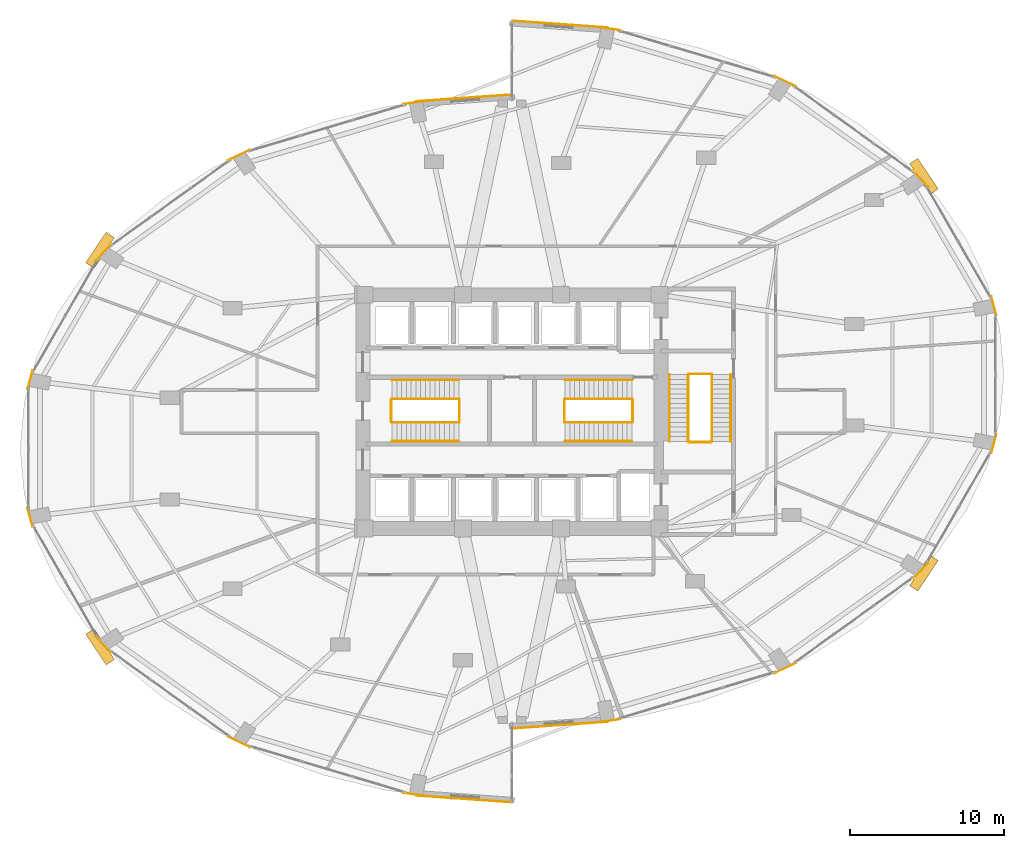
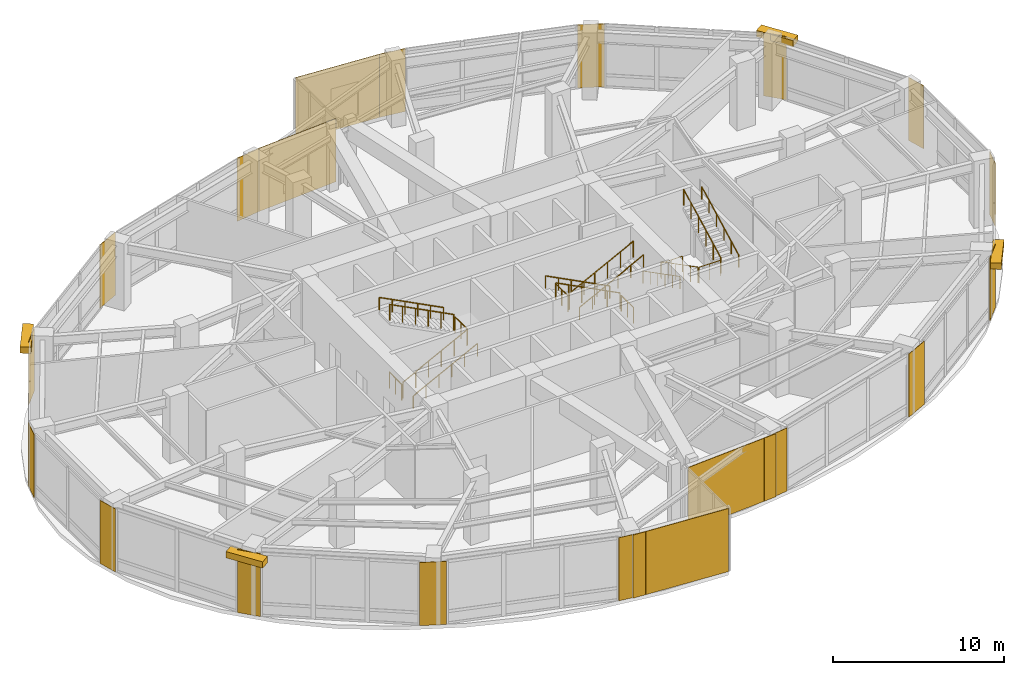
# One storey, part 24 of 24: 20 coverings, 18 railings, 4 shading devices.
"""IFC4 building model written with IfcOpenShell, lengths in metres."""

from ifc_helpers import new_model, si_unit, direction, frame, origin, origin_2d, place, context, subcontext, project, spatial, rectangle, circle, extrude, material, layer, layer_set, type_object, element, save


model = new_model("IFC4")

# Units and contexts
model_context = context("Model", 3, precision=1e-05, world=origin(), true_north=direction((0.0, 1.0)))
body_context = subcontext(model_context, "Body", "Model", "MODEL_VIEW")
ifc_project = project(units=[si_unit("LENGTHUNIT", "METRE"), si_unit("AREAUNIT", "SQUARE_METRE"), si_unit("VOLUMEUNIT", "CUBIC_METRE"), si_unit("PLANEANGLEUNIT", "RADIAN"), si_unit("MASSUNIT", "GRAM", prefix="KILO")], contexts=[model_context])

# Site, building, storey
site_placement = place(None, origin())
site = spatial("IfcSite", under=ifc_project, at=site_placement, CompositionType="ELEMENT")
building_placement = place(site_placement, origin())
building = spatial("IfcBuilding", under=site, at=building_placement, Name="Lazwardi Medical Tower", CompositionType="ELEMENT")
storey_placement = place(building_placement, frame((0.0, 0.0, 15.60009765625)))
storey = spatial("IfcBuildingStorey", under=building, at=storey_placement, Name="L03", CompositionType="ELEMENT", Elevation=15.60009765625)

# Coverings
ifc_material_1 = material(Name="Anodised bronze aluminium cassette cladding", Category="aluminium")
ifc_layer_1 = layer(ifc_material_1, 0.030029296875)
ifc_layer_set_1 = layer_set([ifc_layer_1], Name="Anodised bronze aluminium cassette cladding")
covering_type_1 = type_object("IfcCoveringType", Name="COV-CLD-BRZ", PredefinedType="CLADDING", material=ifc_layer_set_1)
covering_1_placement = place(storey_placement, frame((42.234375, 7.881591796875, 0.0), z_axis=(0.0, 0.0, 1.0), x_axis=(0.989942587141, 0.141469693453, 0.0)))
element("IfcCovering", 1, at=covering_1_placement, inside=storey, type_object=covering_type_1, Name="L03 Mega-column bronze cassette cover M01", PredefinedType="CLADDING", context=body_context, shape_type="SweptSolid", body=[
    extrude(rectangle(XDim=1.71337890625, YDim=0.030029296875, at=origin_2d()), origin(), (0.0, 0.0, 1.0), 4.52001953125),
])
covering_2_placement = place(storey_placement, frame((53.75390625, 11.309814453125, 0.0), z_axis=(0.0, 0.0, 1.0), x_axis=(0.901483824326, 0.432812793801, 0.0)))
element("IfcCovering", 2, at=covering_2_placement, inside=storey, type_object=covering_type_1, Name="L03 Mega-column bronze cassette cover M02", PredefinedType="CLADDING", context=body_context, shape_type="SweptSolid", body=[
    extrude(rectangle(XDim=1.59521484375, YDim=0.030029296875, at=origin_2d()), origin(), (0.0, 0.0, 1.0), 4.52001953125),
])
covering_3_placement = place(storey_placement, frame((62.57080078125, 17.644287109375, 0.0), z_axis=(0.0, 0.0, 1.0), x_axis=(0.681018709816, 0.732266015107, 0.0)))
element("IfcCovering", 3, at=covering_3_placement, inside=storey, type_object=covering_type_1, Name="L03 Mega-column bronze cassette cover M03", PredefinedType="CLADDING", context=body_context, shape_type="SweptSolid", body=[
    extrude(rectangle(XDim=1.410888671875, YDim=0.030029296875, at=origin_2d()), origin(), (0.0, 0.0, 1.0), 4.52001953125),
])
for number, where, z_axis, x_axis, name in (
    (4, (67.34228515625, 25.9208984375, 0.0), (0.0, 0.0, 1.0), (0.266836390112, 0.9637418435, 0.0), "L03 Mega-column bronze cassette cover M04"),
    (5, (67.34228515625, 34.879150390625, 0.0), (0.0, 0.0, 1.0), (-0.266836390112, 0.9637418435, 0.0), "L03 Mega-column bronze cassette cover M05"),
):
    element("IfcCovering", number, at=place(storey_placement, frame(where, z_axis=z_axis, x_axis=x_axis)), inside=storey, type_object=covering_type_1, Name=name, PredefinedType="CLADDING", context=body_context, shape_type="SweptSolid", body=[
        extrude(rectangle(XDim=1.264404296875, YDim=0.030029296875, at=origin_2d()), origin(), (0.0, 0.0, 1.0), 4.52001953125),
    ])
covering_4_placement = place(storey_placement, frame((62.57080078125, 43.155517578125, 0.0), z_axis=(0.0, 0.0, 1.0), x_axis=(-0.681018709816, 0.732266015107, 0.0)))
element("IfcCovering", 6, at=covering_4_placement, inside=storey, type_object=covering_type_1, Name="L03 Mega-column bronze cassette cover M06", PredefinedType="CLADDING", context=body_context, shape_type="SweptSolid", body=[
    extrude(rectangle(XDim=1.410888671875, YDim=0.030029296875, at=origin_2d()), origin(), (0.0, 0.0, 1.0), 4.52001953125),
])
covering_5_placement = place(storey_placement, frame((53.75390625, 49.490234375, 0.0), z_axis=(0.0, 0.0, 1.0), x_axis=(-0.901483824326, 0.432812793801, 0.0)))
element("IfcCovering", 7, at=covering_5_placement, inside=storey, type_object=covering_type_1, Name="L03 Mega-column bronze cassette cover M07", PredefinedType="CLADDING", context=body_context, shape_type="SweptSolid", body=[
    extrude(rectangle(XDim=1.59521484375, YDim=0.030029296875, at=origin_2d()), origin(), (0.0, 0.0, 1.0), 4.52001953125),
])
for number, where, z_axis, x_axis, name in (
    (8, (42.234375, 52.91845703125, 0.0), (0.0, 0.0, 1.0), (-0.989942587141, 0.141469693453, 0.0), "L03 Mega-column bronze cassette cover M08"),
    (9, (29.765625, 48.118408203125, 0.0), (0.0, 0.0, 1.0), (-0.989942587141, -0.141469693453, 0.0), "L03 Mega-column bronze cassette cover M09"),
):
    element("IfcCovering", number, at=place(storey_placement, frame(where, z_axis=z_axis, x_axis=x_axis)), inside=storey, type_object=covering_type_1, Name=name, PredefinedType="CLADDING", context=body_context, shape_type="SweptSolid", body=[
        extrude(rectangle(XDim=1.71337890625, YDim=0.030029296875, at=origin_2d()), origin(), (0.0, 0.0, 1.0), 4.52001953125),
    ])
covering_6_placement = place(storey_placement, frame((18.24609375, 44.690185546875, 0.0), z_axis=(0.0, 0.0, 1.0), x_axis=(-0.901483824326, -0.432812793801, 0.0)))
element("IfcCovering", 10, at=covering_6_placement, inside=storey, type_object=covering_type_1, Name="L03 Mega-column bronze cassette cover M10", PredefinedType="CLADDING", context=body_context, shape_type="SweptSolid", body=[
    extrude(rectangle(XDim=1.59521484375, YDim=0.030029296875, at=origin_2d()), origin(), (0.0, 0.0, 1.0), 4.52001953125),
])
covering_7_placement = place(storey_placement, frame((9.42919921875, 38.355712890625, 0.0), z_axis=(0.0, 0.0, 1.0), x_axis=(-0.681018709816, -0.732266015107, 0.0)))
element("IfcCovering", 11, at=covering_7_placement, inside=storey, type_object=covering_type_1, Name="L03 Mega-column bronze cassette cover M11", PredefinedType="CLADDING", context=body_context, shape_type="SweptSolid", body=[
    extrude(rectangle(XDim=1.410888671875, YDim=0.030029296875, at=origin_2d()), origin(), (0.0, 0.0, 1.0), 4.52001953125),
])
for number, where, z_axis, x_axis, name in (
    (12, (4.65771484375, 30.0791015625, 0.0), (0.0, 0.0, 1.0), (-0.266836390112, -0.9637418435, 0.0), "L03 Mega-column bronze cassette cover M12"),
    (13, (4.65771484375, 21.120849609375, 0.0), (0.0, 0.0, 1.0), (0.266836390112, -0.9637418435, 0.0), "L03 Mega-column bronze cassette cover M13"),
):
    element("IfcCovering", number, at=place(storey_placement, frame(where, z_axis=z_axis, x_axis=x_axis)), inside=storey, type_object=covering_type_1, Name=name, PredefinedType="CLADDING", context=body_context, shape_type="SweptSolid", body=[
        extrude(rectangle(XDim=1.264404296875, YDim=0.030029296875, at=origin_2d()), origin(), (0.0, 0.0, 1.0), 4.52001953125),
    ])
covering_8_placement = place(storey_placement, frame((9.42919921875, 12.844482421875, 0.0), z_axis=(0.0, 0.0, 1.0), x_axis=(0.681018709816, -0.732266015107, 0.0)))
element("IfcCovering", 14, at=covering_8_placement, inside=storey, type_object=covering_type_1, Name="L03 Mega-column bronze cassette cover M14", PredefinedType="CLADDING", context=body_context, shape_type="SweptSolid", body=[
    extrude(rectangle(XDim=1.410888671875, YDim=0.030029296875, at=origin_2d()), origin(), (0.0, 0.0, 1.0), 4.52001953125),
])
covering_9_placement = place(storey_placement, frame((18.24609375, 6.509765625, 0.0), z_axis=(0.0, 0.0, 1.0), x_axis=(0.901483824326, -0.432812793801, 0.0)))
element("IfcCovering", 15, at=covering_9_placement, inside=storey, type_object=covering_type_1, Name="L03 Mega-column bronze cassette cover M15", PredefinedType="CLADDING", context=body_context, shape_type="SweptSolid", body=[
    extrude(rectangle(XDim=1.59521484375, YDim=0.030029296875, at=origin_2d()), origin(), (0.0, 0.0, 1.0), 4.52001953125),
])
covering_10_placement = place(storey_placement, frame((29.765625, 3.08154296875, 0.0), z_axis=(0.0, 0.0, 1.0), x_axis=(0.989942587141, -0.141469693453, 0.0)))
element("IfcCovering", 16, at=covering_10_placement, inside=storey, type_object=covering_type_1, Name="L03 Mega-column bronze cassette cover M16", PredefinedType="CLADDING", context=body_context, shape_type="SweptSolid", body=[
    extrude(rectangle(XDim=1.71337890625, YDim=0.030029296875, at=origin_2d()), origin(), (0.0, 0.0, 1.0), 4.52001953125),
])
ifc_material_2 = material(Name="Turquoise glazed ceramic tilework cladding", Category="masonry")
ifc_layer_2 = layer(ifc_material_2, 0.034912109375)
ifc_layer_set_2 = layer_set([ifc_layer_2], Name="Turquoise glazed ceramic tilework cladding")
covering_type_2 = type_object("IfcCoveringType", Name="COV-CLD-TRQ", PredefinedType="CLADDING", material=ifc_layer_set_2)
for number, where, z_axis, x_axis, name in (
    (17, (39.1181640625, 7.6044921875, 0.0), (0.0, 0.0, 1.0), (0.997513140153, 0.070480743625, 0.0), "L03 Turquoise glazed ceramic tilework cladding"),
    (18, (39.1181640625, 53.195556640625, 0.0), (0.0, 0.0, 1.0), (-0.997513140153, 0.070480743625, 0.0), "L03 Turquoise glazed ceramic tilework cladding"),
):
    element("IfcCovering", number, at=place(storey_placement, frame(where, z_axis=z_axis, x_axis=x_axis)), inside=storey, type_object=covering_type_2, Name=name, PredefinedType="CLADDING", context=body_context, shape_type="SweptSolid", body=[
        extrude(rectangle(XDim=6.227294921875, YDim=0.034912109375, at=origin_2d()), origin(), (0.0, 0.0, 1.0), 4.52001953125),
    ])
for number, where, z_axis, x_axis, name in (
    (19, (32.881591796875, 48.3955078125, 0.0), (0.0, 0.0, 1.0), (-0.99751264808, -0.070487707578, 0.0), "L03 Turquoise glazed ceramic tilework cladding"),
    (20, (32.881591796875, 2.804443359375, 0.0), (0.0, 0.0, 1.0), (0.99751264808, -0.070487707578, 0.0), "L03 Turquoise glazed ceramic tilework cladding"),
):
    element("IfcCovering", number, at=place(storey_placement, frame(where, z_axis=z_axis, x_axis=x_axis)), inside=storey, type_object=covering_type_2, Name=name, PredefinedType="CLADDING", context=body_context, shape_type="SweptSolid", body=[
        extrude(rectangle(XDim=6.2265625, YDim=0.034912109375, at=origin_2d()), origin(), (0.0, 0.0, 1.0), 4.52001953125),
    ])

# Railings
ifc_material_3 = material(Name="Stainless steel Grade 316", Category="steel")
railing_type_1 = type_object("IfcRailingType", Name="RLG-GRD-1150", PredefinedType="GUARDRAIL", material=ifc_material_3)
railing_1_placement = place(storey_placement, frame((28.199951171875, 27.2900390625, 0.159912109375)))
element("IfcRailing", 21, at=railing_1_placement, inside=storey, type_object=railing_type_1, Name="L03 ST1 stair guard 1", PredefinedType="GUARDRAIL", context=body_context, shape_type="SweptSolid", body=[
    extrude(circle(Radius=0.02392578125, at=origin_2d()), frame((0.0, 0.0, 1.1259765625), z_axis=(0.888625257326, 0.0, 0.458634006636), x_axis=(0.0, 1.0, 0.0)), (0.0, 0.0, 1.0), 4.884033203125),
    extrude(circle(Radius=0.02099609375, at=origin_2d()), origin(), (0.0, 0.0, 1.0), 1.099853515625),
    extrude(circle(Radius=0.02099609375, at=origin_2d()), frame((0.867919921875, 0.0, 0.447998046875)), (0.0, 0.0, 1.0), 1.099853515625),
    extrude(circle(Radius=0.02099609375, at=origin_2d()), frame((1.736083984375, 0.0, 0.89599609375)), (0.0, 0.0, 1.0), 1.099853515625),
    extrude(circle(Radius=0.02099609375, at=origin_2d()), frame((2.60400390625, 0.0, 1.343994140625)), (0.0, 0.0, 1.0), 1.099853515625),
    extrude(circle(Radius=0.02099609375, at=origin_2d()), frame((3.47216796875, 0.0, 1.7919921875)), (0.0, 0.0, 1.0), 1.099853515625),
    extrude(circle(Radius=0.02099609375, at=origin_2d()), frame((4.340087890625, 0.0, 2.239990234375)), (0.0, 0.0, 1.0), 1.099853515625),
])
railing_2_placement = place(storey_placement, frame((32.590087890625, 27.340087890625, 2.39990234375)))
element("IfcRailing", 22, at=railing_2_placement, inside=storey, type_object=railing_type_1, Name="L03 ST1 stair guard 2", PredefinedType="GUARDRAIL", context=body_context, shape_type="SweptSolid", body=[
    extrude(circle(Radius=0.02392578125, at=origin_2d()), frame((0.0, 0.0, 1.1259765625), z_axis=(0.0, 1.0, 0.0), x_axis=(-1.0, 0.0, 0.0)), (0.0, 0.0, 1.0), 1.43994140625),
    extrude(circle(Radius=0.02099609375, at=origin_2d()), origin(), (0.0, 0.0, 1.0), 1.099853515625),
    extrude(circle(Radius=0.02099609375, at=origin_2d()), frame((0.0, 0.719970703125, 0.0)), (0.0, 0.0, 1.0), 1.099853515625),
    extrude(circle(Radius=0.02099609375, at=origin_2d()), frame((0.0, 1.43994140625, 0.0)), (0.0, 0.0, 1.0), 1.099853515625),
])
railing_3_placement = place(storey_placement, frame((32.5400390625, 28.830078125, 2.559814453125)))
element("IfcRailing", 23, at=railing_3_placement, inside=storey, type_object=railing_type_1, Name="L03 ST1 stair guard 3", PredefinedType="GUARDRAIL", context=body_context, shape_type="SweptSolid", body=[
    extrude(circle(Radius=0.02392578125, at=origin_2d()), frame((0.0, 0.0, 1.1259765625), z_axis=(-0.888625257326, 0.0, 0.458634006636), x_axis=(0.0, -1.0, 0.0)), (0.0, 0.0, 1.0), 4.884033203125),
    extrude(circle(Radius=0.02099609375, at=origin_2d()), origin(), (0.0, 0.0, 1.0), 1.099853515625),
    extrude(circle(Radius=0.02099609375, at=origin_2d()), frame((-0.867919921875, 0.0, 0.447998046875)), (0.0, 0.0, 1.0), 1.099853515625),
    extrude(circle(Radius=0.02099609375, at=origin_2d()), frame((-1.736083984375, 0.0, 0.89599609375)), (0.0, 0.0, 1.0), 1.099853515625),
    extrude(circle(Radius=0.02099609375, at=origin_2d()), frame((-2.60400390625, 0.0, 1.343994140625)), (0.0, 0.0, 1.0), 1.099853515625),
    extrude(circle(Radius=0.02099609375, at=origin_2d()), frame((-3.47216796875, 0.0, 1.7919921875)), (0.0, 0.0, 1.0), 1.099853515625),
    extrude(circle(Radius=0.02099609375, at=origin_2d()), frame((-4.340087890625, 0.0, 2.239990234375)), (0.0, 0.0, 1.0), 1.099853515625),
])
railing_4_placement = place(storey_placement, frame((28.14990234375, 27.340087890625, 0.0)))
element("IfcRailing", 24, at=railing_4_placement, inside=storey, type_object=railing_type_1, Name="L03 ST1 stair guard 4", PredefinedType="GUARDRAIL", context=body_context, shape_type="SweptSolid", body=[
    extrude(circle(Radius=0.02392578125, at=origin_2d()), frame((0.0, 0.0, 1.1259765625), z_axis=(0.0, 1.0, 0.0), x_axis=(-1.0, 0.0, 0.0)), (0.0, 0.0, 1.0), 1.43994140625),
    extrude(circle(Radius=0.02099609375, at=origin_2d()), origin(), (0.0, 0.0, 1.0), 1.099853515625),
    extrude(circle(Radius=0.02099609375, at=origin_2d()), frame((0.0, 0.719970703125, 0.0)), (0.0, 0.0, 1.0), 1.099853515625),
    extrude(circle(Radius=0.02099609375, at=origin_2d()), frame((0.0, 1.43994140625, 0.0)), (0.0, 0.0, 1.0), 1.099853515625),
])
railing_5_placement = place(storey_placement, frame((43.800048828125, 28.830078125, 0.159912109375)))
element("IfcRailing", 25, at=railing_5_placement, inside=storey, type_object=railing_type_1, Name="L03 ST2 stair guard 1", PredefinedType="GUARDRAIL", context=body_context, shape_type="SweptSolid", body=[
    extrude(circle(Radius=0.02392578125, at=origin_2d()), frame((0.0, 0.0, 1.1259765625), z_axis=(-0.888625257326, 0.0, 0.458634006636), x_axis=(0.0, -1.0, 0.0)), (0.0, 0.0, 1.0), 4.884033203125),
    extrude(circle(Radius=0.02099609375, at=origin_2d()), origin(), (0.0, 0.0, 1.0), 1.099853515625),
    extrude(circle(Radius=0.02099609375, at=origin_2d()), frame((-0.867919921875, 0.0, 0.447998046875)), (0.0, 0.0, 1.0), 1.099853515625),
    extrude(circle(Radius=0.02099609375, at=origin_2d()), frame((-1.736083984375, 0.0, 0.89599609375)), (0.0, 0.0, 1.0), 1.099853515625),
    extrude(circle(Radius=0.02099609375, at=origin_2d()), frame((-2.60400390625, 0.0, 1.343994140625)), (0.0, 0.0, 1.0), 1.099853515625),
    extrude(circle(Radius=0.02099609375, at=origin_2d()), frame((-3.47216796875, 0.0, 1.7919921875)), (0.0, 0.0, 1.0), 1.099853515625),
    extrude(circle(Radius=0.02099609375, at=origin_2d()), frame((-4.340087890625, 0.0, 2.239990234375)), (0.0, 0.0, 1.0), 1.099853515625),
])
railing_6_placement = place(storey_placement, frame((39.409912109375, 28.780029296875, 2.39990234375)))
element("IfcRailing", 26, at=railing_6_placement, inside=storey, type_object=railing_type_1, Name="L03 ST2 stair guard 2", PredefinedType="GUARDRAIL", context=body_context, shape_type="SweptSolid", body=[
    extrude(circle(Radius=0.02392578125, at=origin_2d()), frame((0.0, 0.0, 1.1259765625), z_axis=(0.0, -1.0, 0.0), x_axis=(1.0, 0.0, 0.0)), (0.0, 0.0, 1.0), 1.43994140625),
    extrude(circle(Radius=0.02099609375, at=origin_2d()), origin(), (0.0, 0.0, 1.0), 1.099853515625),
    extrude(circle(Radius=0.02099609375, at=origin_2d()), frame((0.0, -0.719970703125, 0.0)), (0.0, 0.0, 1.0), 1.099853515625),
    extrude(circle(Radius=0.02099609375, at=origin_2d()), frame((0.0, -1.43994140625, 0.0)), (0.0, 0.0, 1.0), 1.099853515625),
])
railing_7_placement = place(storey_placement, frame((39.4599609375, 27.2900390625, 2.559814453125)))
element("IfcRailing", 27, at=railing_7_placement, inside=storey, type_object=railing_type_1, Name="L03 ST2 stair guard 3", PredefinedType="GUARDRAIL", context=body_context, shape_type="SweptSolid", body=[
    extrude(circle(Radius=0.02392578125, at=origin_2d()), frame((0.0, 0.0, 1.1259765625), z_axis=(0.888625257326, 0.0, 0.458634006636), x_axis=(0.0, 1.0, 0.0)), (0.0, 0.0, 1.0), 4.884033203125),
    extrude(circle(Radius=0.02099609375, at=origin_2d()), origin(), (0.0, 0.0, 1.0), 1.099853515625),
    extrude(circle(Radius=0.02099609375, at=origin_2d()), frame((0.867919921875, 0.0, 0.447998046875)), (0.0, 0.0, 1.0), 1.099853515625),
    extrude(circle(Radius=0.02099609375, at=origin_2d()), frame((1.736083984375, 0.0, 0.89599609375)), (0.0, 0.0, 1.0), 1.099853515625),
    extrude(circle(Radius=0.02099609375, at=origin_2d()), frame((2.60400390625, 0.0, 1.343994140625)), (0.0, 0.0, 1.0), 1.099853515625),
    extrude(circle(Radius=0.02099609375, at=origin_2d()), frame((3.47216796875, 0.0, 1.7919921875)), (0.0, 0.0, 1.0), 1.099853515625),
    extrude(circle(Radius=0.02099609375, at=origin_2d()), frame((4.340087890625, 0.0, 2.239990234375)), (0.0, 0.0, 1.0), 1.099853515625),
])
railing_8_placement = place(storey_placement, frame((43.85009765625, 28.780029296875, 0.0)))
element("IfcRailing", 28, at=railing_8_placement, inside=storey, type_object=railing_type_1, Name="L03 ST2 stair guard 4", PredefinedType="GUARDRAIL", context=body_context, shape_type="SweptSolid", body=[
    extrude(circle(Radius=0.02392578125, at=origin_2d()), frame((0.0, 0.0, 1.1259765625), z_axis=(0.0, -1.0, 0.0), x_axis=(1.0, 0.0, 0.0)), (0.0, 0.0, 1.0), 1.43994140625),
    extrude(circle(Radius=0.02099609375, at=origin_2d()), origin(), (0.0, 0.0, 1.0), 1.099853515625),
    extrude(circle(Radius=0.02099609375, at=origin_2d()), frame((0.0, -0.719970703125, 0.0)), (0.0, 0.0, 1.0), 1.099853515625),
    extrude(circle(Radius=0.02099609375, at=origin_2d()), frame((0.0, -1.43994140625, 0.0)), (0.0, 0.0, 1.0), 1.099853515625),
])
railing_9_placement = place(storey_placement, frame((47.469970703125, 30.39990234375, 0.159912109375)))
element("IfcRailing", 29, at=railing_9_placement, inside=storey, type_object=railing_type_1, Name="L03 ST3 stair guard 1", PredefinedType="GUARDRAIL", context=body_context, shape_type="SweptSolid", body=[
    extrude(circle(Radius=0.02392578125, at=origin_2d()), frame((0.0, 0.0, 1.1259765625), z_axis=(0.0, -0.888614742027, 0.458654379956), x_axis=(1.0, 0.0, 0.0)), (0.0, 0.0, 1.0), 4.8837890625),
    extrude(circle(Radius=0.02099609375, at=origin_2d()), origin(), (0.0, 0.0, 1.0), 1.099853515625),
    extrude(circle(Radius=0.02099609375, at=origin_2d()), frame((0.0, -0.867919921875, 0.447998046875)), (0.0, 0.0, 1.0), 1.099853515625),
    extrude(circle(Radius=0.02099609375, at=origin_2d()), frame((0.0, -1.73583984375, 0.89599609375)), (0.0, 0.0, 1.0), 1.099853515625),
    extrude(circle(Radius=0.02099609375, at=origin_2d()), frame((0.0, -2.60400390625, 1.343994140625)), (0.0, 0.0, 1.0), 1.099853515625),
    extrude(circle(Radius=0.02099609375, at=origin_2d()), frame((0.0, -3.471923828125, 1.7919921875)), (0.0, 0.0, 1.0), 1.099853515625),
    extrude(circle(Radius=0.02099609375, at=origin_2d()), frame((0.0, -4.33984375, 2.239990234375)), (0.0, 0.0, 1.0), 1.099853515625),
])
railing_10_placement = place(storey_placement, frame((47.52001953125, 26.010009765625, 2.39990234375)))
element("IfcRailing", 30, at=railing_10_placement, inside=storey, type_object=railing_type_1, Name="L03 ST3 stair guard 2", PredefinedType="GUARDRAIL", context=body_context, shape_type="SweptSolid", body=[
    extrude(circle(Radius=0.02392578125, at=origin_2d()), frame((0.0, 0.0, 1.1259765625), z_axis=(1.0, 0.0, 0.0), x_axis=(0.0, 1.0, 0.0)), (0.0, 0.0, 1.0), 1.43994140625),
    extrude(circle(Radius=0.02099609375, at=origin_2d()), origin(), (0.0, 0.0, 1.0), 1.099853515625),
    extrude(circle(Radius=0.02099609375, at=origin_2d()), frame((0.719970703125, 0.0, 0.0)), (0.0, 0.0, 1.0), 1.099853515625),
    extrude(circle(Radius=0.02099609375, at=origin_2d()), frame((1.43994140625, 0.0, 0.0)), (0.0, 0.0, 1.0), 1.099853515625),
])
railing_11_placement = place(storey_placement, frame((49.010009765625, 26.06005859375, 2.559814453125)))
element("IfcRailing", 31, at=railing_11_placement, inside=storey, type_object=railing_type_1, Name="L03 ST3 stair guard 3", PredefinedType="GUARDRAIL", context=body_context, shape_type="SweptSolid", body=[
    extrude(circle(Radius=0.02392578125, at=origin_2d()), frame((0.0, 0.0, 1.1259765625), z_axis=(0.0, 0.888614742027, 0.458654379956), x_axis=(-1.0, 0.0, 0.0)), (0.0, 0.0, 1.0), 4.8837890625),
    extrude(circle(Radius=0.02099609375, at=origin_2d()), origin(), (0.0, 0.0, 1.0), 1.099853515625),
    extrude(circle(Radius=0.02099609375, at=origin_2d()), frame((0.0, 0.867919921875, 0.447998046875)), (0.0, 0.0, 1.0), 1.099853515625),
    extrude(circle(Radius=0.02099609375, at=origin_2d()), frame((0.0, 1.73583984375, 0.89599609375)), (0.0, 0.0, 1.0), 1.099853515625),
    extrude(circle(Radius=0.02099609375, at=origin_2d()), frame((0.0, 2.60400390625, 1.343994140625)), (0.0, 0.0, 1.0), 1.099853515625),
    extrude(circle(Radius=0.02099609375, at=origin_2d()), frame((0.0, 3.471923828125, 1.7919921875)), (0.0, 0.0, 1.0), 1.099853515625),
    extrude(circle(Radius=0.02099609375, at=origin_2d()), frame((0.0, 4.33984375, 2.239990234375)), (0.0, 0.0, 1.0), 1.099853515625),
])
railing_12_placement = place(storey_placement, frame((47.52001953125, 30.449951171875, 0.0)))
element("IfcRailing", 32, at=railing_12_placement, inside=storey, type_object=railing_type_1, Name="L03 ST3 stair guard 4", PredefinedType="GUARDRAIL", context=body_context, shape_type="SweptSolid", body=[
    extrude(circle(Radius=0.02392578125, at=origin_2d()), frame((0.0, 0.0, 1.1259765625), z_axis=(1.0, 0.0, 0.0), x_axis=(0.0, 1.0, 0.0)), (0.0, 0.0, 1.0), 1.43994140625),
    extrude(circle(Radius=0.02099609375, at=origin_2d()), origin(), (0.0, 0.0, 1.0), 1.099853515625),
    extrude(circle(Radius=0.02099609375, at=origin_2d()), frame((0.719970703125, 0.0, 0.0)), (0.0, 0.0, 1.0), 1.099853515625),
    extrude(circle(Radius=0.02099609375, at=origin_2d()), frame((1.43994140625, 0.0, 0.0)), (0.0, 0.0, 1.0), 1.099853515625),
])
railing_type_2 = type_object("IfcRailingType", Name="RLG-HND-920", PredefinedType="HANDRAIL", material=ifc_material_3)
railing_13_placement = place(storey_placement, frame((28.199951171875, 26.070068359375, 0.159912109375)))
element("IfcRailing", 33, at=railing_13_placement, inside=storey, type_object=railing_type_2, Name="L03 ST1 stair handrail 1", PredefinedType="HANDRAIL", context=body_context, shape_type="SweptSolid", body=[
    extrude(circle(Radius=0.02392578125, at=origin_2d()), frame((0.0, 0.0, 0.8857421875), z_axis=(0.888625257326, 0.0, 0.458634006636), x_axis=(0.0, 1.0, 0.0)), (0.0, 0.0, 1.0), 4.884033203125),
    extrude(circle(Radius=0.02099609375, at=origin_2d()), origin(), (0.0, 0.0, 1.0), 0.85986328125),
    extrude(circle(Radius=0.02099609375, at=origin_2d()), frame((0.867919921875, 0.0, 0.447998046875)), (0.0, 0.0, 1.0), 0.85986328125),
    extrude(circle(Radius=0.02099609375, at=origin_2d()), frame((1.736083984375, 0.0, 0.89599609375)), (0.0, 0.0, 1.0), 0.85986328125),
    extrude(circle(Radius=0.02099609375, at=origin_2d()), frame((2.60400390625, 0.0, 1.343994140625)), (0.0, 0.0, 1.0), 0.85986328125),
    extrude(circle(Radius=0.02099609375, at=origin_2d()), frame((3.47216796875, 0.0, 1.7919921875)), (0.0, 0.0, 1.0), 0.85986328125),
    extrude(circle(Radius=0.02099609375, at=origin_2d()), frame((4.340087890625, 0.0, 2.239990234375)), (0.0, 0.0, 1.0), 0.85986328125),
])
for number, where, name in (
    (34, (32.5400390625, 30.050048828125, 2.559814453125), "L03 ST1 stair handrail 2"),
    (35, (43.800048828125, 30.050048828125, 0.159912109375), "L03 ST2 stair handrail 1"),
):
    element("IfcRailing", number, at=place(storey_placement, frame(where)), inside=storey, type_object=railing_type_2, Name=name, PredefinedType="HANDRAIL", context=body_context, shape_type="SweptSolid", body=[
        extrude(circle(Radius=0.02392578125, at=origin_2d()), frame((0.0, 0.0, 0.8857421875), z_axis=(-0.888625257326, 0.0, 0.458634006636), x_axis=(0.0, -1.0, 0.0)), (0.0, 0.0, 1.0), 4.884033203125),
        extrude(circle(Radius=0.02099609375, at=origin_2d()), origin(), (0.0, 0.0, 1.0), 0.85986328125),
        extrude(circle(Radius=0.02099609375, at=origin_2d()), frame((-0.867919921875, 0.0, 0.447998046875)), (0.0, 0.0, 1.0), 0.85986328125),
        extrude(circle(Radius=0.02099609375, at=origin_2d()), frame((-1.736083984375, 0.0, 0.89599609375)), (0.0, 0.0, 1.0), 0.85986328125),
        extrude(circle(Radius=0.02099609375, at=origin_2d()), frame((-2.60400390625, 0.0, 1.343994140625)), (0.0, 0.0, 1.0), 0.85986328125),
        extrude(circle(Radius=0.02099609375, at=origin_2d()), frame((-3.47216796875, 0.0, 1.7919921875)), (0.0, 0.0, 1.0), 0.85986328125),
        extrude(circle(Radius=0.02099609375, at=origin_2d()), frame((-4.340087890625, 0.0, 2.239990234375)), (0.0, 0.0, 1.0), 0.85986328125),
    ])
railing_14_placement = place(storey_placement, frame((39.4599609375, 26.070068359375, 2.559814453125)))
element("IfcRailing", 36, at=railing_14_placement, inside=storey, type_object=railing_type_2, Name="L03 ST2 stair handrail 2", PredefinedType="HANDRAIL", context=body_context, shape_type="SweptSolid", body=[
    extrude(circle(Radius=0.02392578125, at=origin_2d()), frame((0.0, 0.0, 0.8857421875), z_axis=(0.888625257326, 0.0, 0.458634006636), x_axis=(0.0, 1.0, 0.0)), (0.0, 0.0, 1.0), 4.884033203125),
    extrude(circle(Radius=0.02099609375, at=origin_2d()), origin(), (0.0, 0.0, 1.0), 0.85986328125),
    extrude(circle(Radius=0.02099609375, at=origin_2d()), frame((0.867919921875, 0.0, 0.447998046875)), (0.0, 0.0, 1.0), 0.85986328125),
    extrude(circle(Radius=0.02099609375, at=origin_2d()), frame((1.736083984375, 0.0, 0.89599609375)), (0.0, 0.0, 1.0), 0.85986328125),
    extrude(circle(Radius=0.02099609375, at=origin_2d()), frame((2.60400390625, 0.0, 1.343994140625)), (0.0, 0.0, 1.0), 0.85986328125),
    extrude(circle(Radius=0.02099609375, at=origin_2d()), frame((3.47216796875, 0.0, 1.7919921875)), (0.0, 0.0, 1.0), 0.85986328125),
    extrude(circle(Radius=0.02099609375, at=origin_2d()), frame((4.340087890625, 0.0, 2.239990234375)), (0.0, 0.0, 1.0), 0.85986328125),
])
railing_15_placement = place(storey_placement, frame((46.25, 30.39990234375, 0.159912109375)))
element("IfcRailing", 37, at=railing_15_placement, inside=storey, type_object=railing_type_2, Name="L03 ST3 stair handrail 1", PredefinedType="HANDRAIL", context=body_context, shape_type="SweptSolid", body=[
    extrude(circle(Radius=0.02392578125, at=origin_2d()), frame((0.0, 0.0, 0.8857421875), z_axis=(0.0, -0.888614742027, 0.458654379956), x_axis=(1.0, 0.0, 0.0)), (0.0, 0.0, 1.0), 4.8837890625),
    extrude(circle(Radius=0.02099609375, at=origin_2d()), origin(), (0.0, 0.0, 1.0), 0.85986328125),
    extrude(circle(Radius=0.02099609375, at=origin_2d()), frame((0.0, -0.867919921875, 0.447998046875)), (0.0, 0.0, 1.0), 0.85986328125),
    extrude(circle(Radius=0.02099609375, at=origin_2d()), frame((0.0, -1.73583984375, 0.89599609375)), (0.0, 0.0, 1.0), 0.85986328125),
    extrude(circle(Radius=0.02099609375, at=origin_2d()), frame((0.0, -2.60400390625, 1.343994140625)), (0.0, 0.0, 1.0), 0.85986328125),
    extrude(circle(Radius=0.02099609375, at=origin_2d()), frame((0.0, -3.471923828125, 1.7919921875)), (0.0, 0.0, 1.0), 0.85986328125),
    extrude(circle(Radius=0.02099609375, at=origin_2d()), frame((0.0, -4.33984375, 2.239990234375)), (0.0, 0.0, 1.0), 0.85986328125),
])
railing_16_placement = place(storey_placement, frame((50.22998046875, 26.06005859375, 2.559814453125)))
element("IfcRailing", 38, at=railing_16_placement, inside=storey, type_object=railing_type_2, Name="L03 ST3 stair handrail 2", PredefinedType="HANDRAIL", context=body_context, shape_type="SweptSolid", body=[
    extrude(circle(Radius=0.02392578125, at=origin_2d()), frame((0.0, 0.0, 0.8857421875), z_axis=(0.0, 0.888614742027, 0.458654379956), x_axis=(-1.0, 0.0, 0.0)), (0.0, 0.0, 1.0), 4.8837890625),
    extrude(circle(Radius=0.02099609375, at=origin_2d()), origin(), (0.0, 0.0, 1.0), 0.85986328125),
    extrude(circle(Radius=0.02099609375, at=origin_2d()), frame((0.0, 0.867919921875, 0.447998046875)), (0.0, 0.0, 1.0), 0.85986328125),
    extrude(circle(Radius=0.02099609375, at=origin_2d()), frame((0.0, 1.73583984375, 0.89599609375)), (0.0, 0.0, 1.0), 0.85986328125),
    extrude(circle(Radius=0.02099609375, at=origin_2d()), frame((0.0, 2.60400390625, 1.343994140625)), (0.0, 0.0, 1.0), 0.85986328125),
    extrude(circle(Radius=0.02099609375, at=origin_2d()), frame((0.0, 3.471923828125, 1.7919921875)), (0.0, 0.0, 1.0), 0.85986328125),
    extrude(circle(Radius=0.02099609375, at=origin_2d()), frame((0.0, 4.33984375, 2.239990234375)), (0.0, 0.0, 1.0), 0.85986328125),
])

# Shading devices
ifc_material_4 = material(Name="Anodised bronze aluminium sunshade", Category="aluminium")
shading_device_type = type_object("IfcShadingDeviceType", Name="SHD-SUN-01", PredefinedType="USERDEFINED", material=ifc_material_4)
for number, where, z_axis, x_axis, name in (
    (39, (62.7900390625, 17.499755859375, 4.044921875), (0.0, 0.0, 1.0), (0.55557023302, 0.831469612303, 0.0), "L03 Podium Diagnostic Sunshade 1"),
    (40, (62.7900390625, 43.30029296875, 4.044921875), (0.0, 0.0, 1.0), (-0.55557023302, 0.831469612303, 0.0), "L03 Podium Diagnostic Sunshade 2"),
    (41, (9.2099609375, 38.500244140625, 4.044921875), (0.0, 0.0, 1.0), (-0.55557023302, -0.831469612303, 0.0), "L03 Podium Diagnostic Sunshade 3"),
    (42, (9.2099609375, 12.69970703125, 4.044921875), (0.0, 0.0, 1.0), (0.55557023302, -0.831469612303, 0.0), "L03 Podium Diagnostic Sunshade 4"),
):
    element("IfcShadingDevice", number, at=place(storey_placement, frame(where, z_axis=z_axis, x_axis=x_axis)), inside=storey, type_object=shading_device_type, Name=name, ObjectType="SUNSHADE", PredefinedType="USERDEFINED", context=body_context, shape_type="SweptSolid", body=[
        extrude(rectangle(XDim=2.39990234375, YDim=0.64990234375, at=origin_2d()), origin(), (0.0, 0.0, 1.0), 0.449951171875),
    ])

save(model, "model.ifc")
